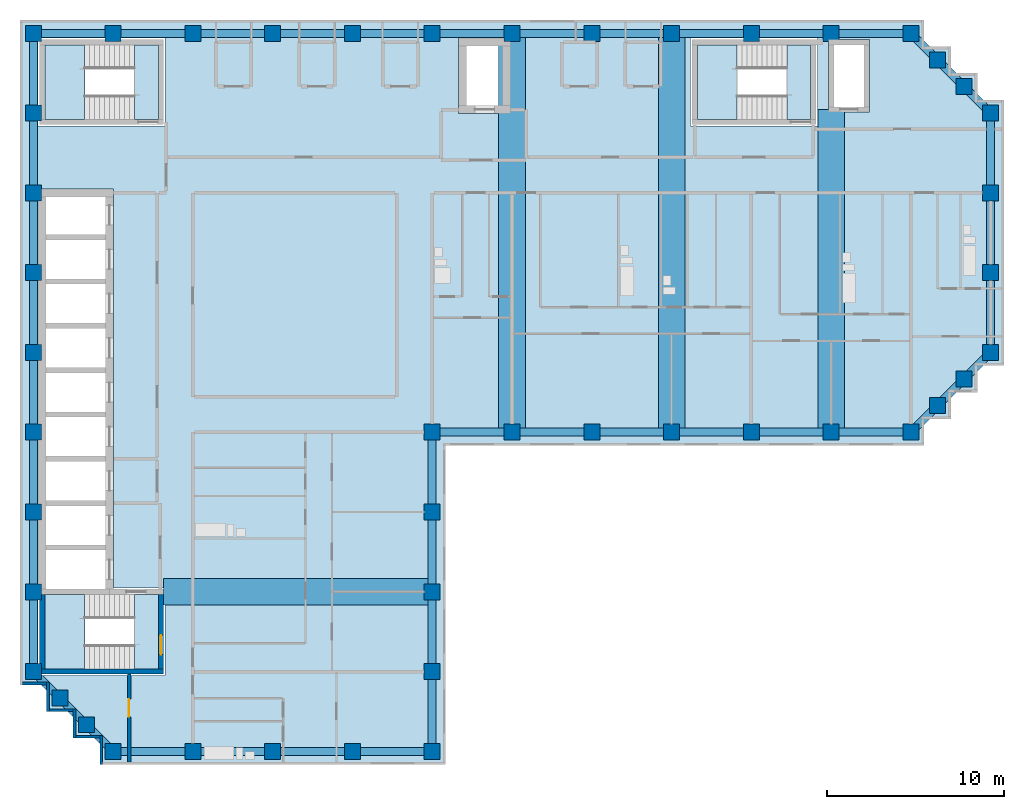
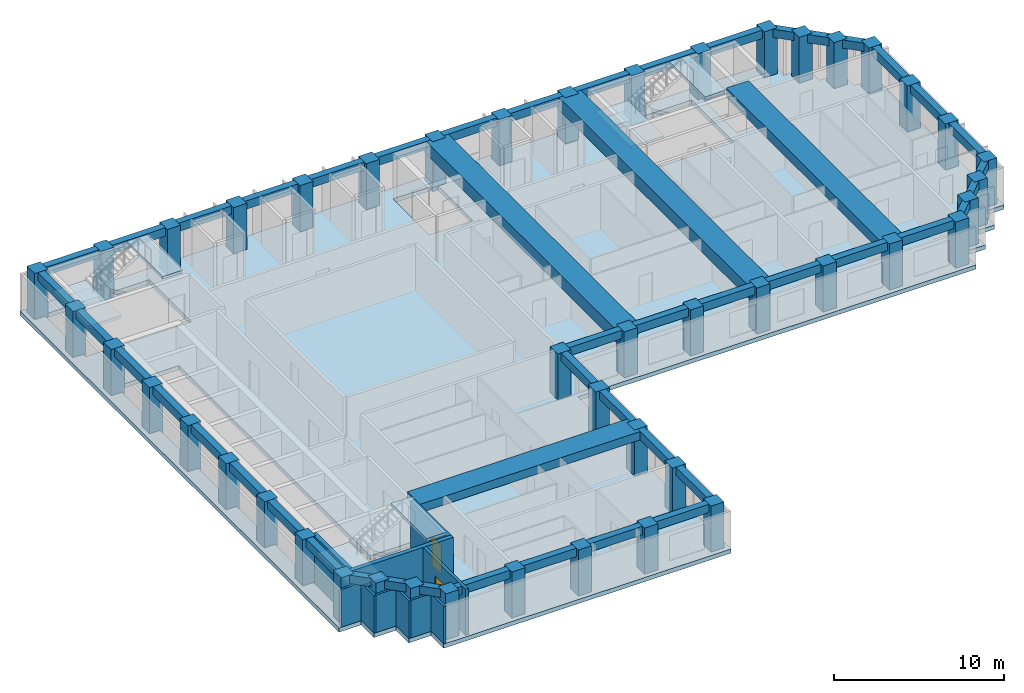
# One storey, part 1 of 9: 49 beams, 45 columns, 10 walls, 7 slabs, 2 doors, 2 openings, 3 elements without a shape of their own.
"""IFC4 building model written with IfcOpenShell, lengths in metres."""

from ifc_helpers import new_model, si_unit, direction, frame, frame_2d, origin, origin_2d, place, context, subcontext, project, spatial, polyline, rectangle, outline, extrude, material, layer, layer_set, material_profile, profile_set, type_object, element, fill, aggregate, save


model = new_model("IFC4")

# Units and contexts
model_context = context("Model", 3, precision=1e-05, world=origin(), true_north=direction((0.0, 1.0)))
body_context = subcontext(model_context, "Body", "Model", "MODEL_VIEW")
ifc_project = project(units=[si_unit("LENGTHUNIT", "METRE"), si_unit("AREAUNIT", "SQUARE_METRE"), si_unit("VOLUMEUNIT", "CUBIC_METRE"), si_unit("PLANEANGLEUNIT", "RADIAN"), si_unit("MASSUNIT", "GRAM", prefix="KILO")], contexts=[model_context])

# Site, building, storey
site_placement = place(None, origin())
site = spatial("IfcSite", under=ifc_project, at=site_placement, CompositionType="ELEMENT")
building_placement = place(site_placement, origin())
building = spatial("IfcBuilding", under=site, at=building_placement, Name="Firuza Court", CompositionType="ELEMENT")
storey_placement = place(building_placement, frame((0.0, 0.0, 215.0)))
storey = spatial("IfcBuildingStorey", under=building, at=storey_placement, Name="L55", CompositionType="ELEMENT", Elevation=215.0)

# Columns
ifc_material_1 = material(Name="Concrete C50/60", Category="concrete")
ifc_material_profile_1 = material_profile(ifc_material_1, rectangle(XDim=0.89990234375, YDim=0.89990234375, at=origin_2d()), Name="RC 900x900")
ifc_profile_set_1 = profile_set([ifc_material_profile_1], Name="Concrete C50/60")
column_type = type_object("IfcColumnType", Name="Tube column RC 900x900 C50/60", PredefinedType="COLUMN", material=ifc_profile_set_1)
for number, where, z_axis, x_axis, name in (
    (1, (4.5, 18.0, -0.300048828125), (0.0, 0.0, 1.0), (1.0, 0.0, 0.0), "Column C-2H L55"),
    (2, (9.0, 18.0, -0.300048828125), (0.0, 0.0, 1.0), (1.0, 0.0, 0.0), "Column C-3H L55"),
    (3, (13.5, 18.0, -0.300048828125), (0.0, 0.0, 1.0), (1.0, 0.0, 0.0), "Column C-4H L55"),
    (4, (18.0, 18.0, -0.300048828125), (0.0, 0.0, 1.0), (1.0, 0.0, 0.0), "Column C-5H L55"),
    (5, (22.5, 18.0, -0.300048828125), (0.0, 0.0, 1.0), (1.0, 0.0, 0.0), "Column C-6H L55"),
    (6, (3.0, 19.5, -0.300048828125), (0.0, 0.0, 1.0), (1.0, 0.0, 0.0), "Column C-SA1 L55"),
    (7, (1.5, 21.0, -0.300048828125), (0.0, 0.0, 1.0), (1.0, 0.0, 0.0), "Column C-SA2 L55"),
    (8, (0.0, 22.5, -0.300048828125), (0.0, 0.0, 1.0), (1.0, 0.0, 0.0), "Column C-1J L55"),
    (9, (22.5, 22.5, -0.300048828125), (0.0, 0.0, 1.0), (1.0, 0.0, 0.0), "Column C-6J L55"),
    (10, (0.0, 27.0, -0.300048828125), (0.0, 0.0, 1.0), (1.0, 0.0, 0.0), "Column C-1K L55"),
    (11, (22.5, 27.0, -0.300048828125), (0.0, 0.0, 1.0), (1.0, 0.0, 0.0), "Column C-6K L55"),
    (12, (0.0, 31.5, -0.300048828125), (0.0, 0.0, 1.0), (1.0, 0.0, 0.0), "Column C-1L L55"),
    (13, (22.5, 31.5, -0.300048828125), (0.0, 0.0, 1.0), (1.0, 0.0, 0.0), "Column C-6L L55"),
    (14, (0.0, 36.0, -0.300048828125), (0.0, 0.0, 1.0), (1.0, 0.0, 0.0), "Column C-1M L55"),
    (15, (22.5, 36.0, -0.300048828125), (0.0, 0.0, 1.0), (1.0, 0.0, 0.0), "Column C-6M L55"),
    (16, (27.0, 36.0, -0.300048828125), (0.0, 0.0, 1.0), (1.0, 0.0, 0.0), "Column C-7M L55"),
    (17, (31.5, 36.0, -0.300048828125), (0.0, 0.0, 1.0), (1.0, 0.0, 0.0), "Column C-8M L55"),
    (18, (36.0, 36.0, -0.300048828125), (0.0, 0.0, 1.0), (1.0, 0.0, 0.0), "Column C-9M L55"),
    (19, (40.5, 36.0, -0.300048828125), (0.0, 0.0, 1.0), (1.0, 0.0, 0.0), "Column C-10M L55"),
    (20, (45.0, 36.0, -0.300048828125), (0.0, 0.0, 1.0), (1.0, 0.0, 0.0), "Column C-11M L55"),
    (21, (49.5, 36.0, -0.300048828125), (0.0, 0.0, 1.0), (1.0, 0.0, 0.0), "Column C-12M L55"),
    (22, (51.0, 37.5, -0.300048828125), (0.0, 0.0, 1.0), (1.0, 0.0, 0.0), "Column C-SA3 L55"),
    (23, (52.5, 39.0, -0.300048828125), (0.0, 0.0, 1.0), (1.0, 0.0, 0.0), "Column C-SA4 L55"),
    (24, (0.0, 40.5, -0.300048828125), (0.0, 0.0, 1.0), (1.0, 0.0, 0.0), "Column C-1N L55"),
    (25, (54.0, 40.5, -0.300048828125), (0.0, 0.0, 1.0), (1.0, 0.0, 0.0), "Column C-13N L55"),
    (26, (0.0, 45.0, -0.300048828125), (0.0, 0.0, 1.0), (1.0, 0.0, 0.0), "Column C-1P L55"),
    (27, (54.0, 45.0, -0.300048828125), (0.0, 0.0, 1.0), (1.0, 0.0, 0.0), "Column C-13P L55"),
    (28, (0.0, 49.5, -0.300048828125), (0.0, 0.0, 1.0), (1.0, 0.0, 0.0), "Column C-1Q L55"),
    (29, (54.0, 49.5, -0.300048828125), (0.0, 0.0, 1.0), (1.0, 0.0, 0.0), "Column C-13Q L55"),
    (30, (0.0, 54.0, -0.300048828125), (0.0, 0.0, 1.0), (1.0, 0.0, 0.0), "Column C-1R L55"),
    (31, (54.0, 54.0, -0.300048828125), (0.0, 0.0, 1.0), (1.0, 0.0, 0.0), "Column C-13R L55"),
    (32, (52.5, 55.5, -0.300048828125), (0.0, 0.0, 1.0), (1.0, 0.0, 0.0), "Column C-SA5 L55"),
    (33, (51.0, 57.0, -0.300048828125), (0.0, 0.0, 1.0), (1.0, 0.0, 0.0), "Column C-SA6 L55"),
    (34, (0.0, 58.5, -0.300048828125), (0.0, 0.0, 1.0), (1.0, 0.0, 0.0), "Column C-1S L55"),
    (35, (4.5, 58.5, -0.300048828125), (0.0, 0.0, 1.0), (1.0, 0.0, 0.0), "Column C-2S L55"),
    (36, (9.0, 58.5, -0.300048828125), (0.0, 0.0, 1.0), (1.0, 0.0, 0.0), "Column C-3S L55"),
    (37, (13.5, 58.5, -0.300048828125), (0.0, 0.0, 1.0), (1.0, 0.0, 0.0), "Column C-4S L55"),
    (38, (18.0, 58.5, -0.300048828125), (0.0, 0.0, 1.0), (1.0, 0.0, 0.0), "Column C-5S L55"),
    (39, (22.5, 58.5, -0.300048828125), (0.0, 0.0, 1.0), (1.0, 0.0, 0.0), "Column C-6S L55"),
    (40, (27.0, 58.5, -0.300048828125), (0.0, 0.0, 1.0), (1.0, 0.0, 0.0), "Column C-7S L55"),
    (41, (31.5, 58.5, -0.300048828125), (0.0, 0.0, 1.0), (1.0, 0.0, 0.0), "Column C-8S L55"),
    (42, (36.0, 58.5, -0.300048828125), (0.0, 0.0, 1.0), (1.0, 0.0, 0.0), "Column C-9S L55"),
    (43, (40.5, 58.5, -0.300048828125), (0.0, 0.0, 1.0), (1.0, 0.0, 0.0), "Column C-10S L55"),
    (44, (45.0, 58.5, -0.300048828125), (0.0, 0.0, 1.0), (1.0, 0.0, 0.0), "Column C-11S L55"),
    (45, (49.5, 58.5, -0.300048828125), (0.0, 0.0, 1.0), (1.0, 0.0, 0.0), "Column C-12S L55"),
):
    element("IfcColumn", number, at=place(storey_placement, frame(where, z_axis=z_axis, x_axis=x_axis)), inside=storey, type_object=column_type, Name=name, PredefinedType="COLUMN", context=body_context, shape_type="SweptSolid", body=[
        extrude(rectangle(XDim=0.89990234375, YDim=0.89990234375, at=origin_2d()), origin(), (0.0, 0.0, 1.0), 3.60009765625),
    ])

# Beams
ifc_material_2 = material(Name="Concrete C40/50", Category="concrete")
ifc_material_profile_2 = material_profile(ifc_material_2, rectangle(XDim=1.5, YDim=0.60009765625, at=origin_2d()), Name="RC 1500x600")
ifc_profile_set_2 = profile_set([ifc_material_profile_2], Name="Concrete C40/50")
beam_type_1 = type_object("IfcBeamType", Name="Band beam RC 1500x600 C40/50", PredefinedType="BEAM", material=ifc_profile_set_2)
beam_1_placement = place(storey_placement, frame((22.5, 27.0, 3.0), z_axis=(-1.0, 0.0, 0.0), x_axis=(0.0, -1.0, 0.0)))
element("IfcBeam", 46, at=beam_1_placement, inside=storey, type_object=beam_type_1, Name="Band beam FB3 level L56", PredefinedType="BEAM", context=body_context, shape_type="SweptSolid", body=[
    extrude(rectangle(XDim=1.5, YDim=0.60009765625, at=origin_2d()), origin(), (0.0, 0.0, 1.0), 15.14990234375),
])
ifc_material_3 = material(Name="Concrete C40/50", Category="concrete")
ifc_material_profile_3 = material_profile(ifc_material_3, rectangle(XDim=1.5, YDim=0.699951171875, at=origin_2d()), Name="RC 1500x700")
ifc_profile_set_3 = profile_set([ifc_material_profile_3], Name="Concrete C40/50")
beam_type_2 = type_object("IfcBeamType", Name="Band beam RC 1500x700 C40/50", PredefinedType="BEAM", material=ifc_profile_set_3)
beam_2_placement = place(storey_placement, frame((45.0, 36.0, 2.949951171875), z_axis=(0.0, 1.0, 0.0), x_axis=(-1.0, 0.0, 0.0)))
element("IfcBeam", 47, at=beam_2_placement, inside=storey, type_object=beam_type_2, Name="Band beam FB1 level L56", PredefinedType="BEAM", context=body_context, shape_type="SweptSolid", body=[
    extrude(rectangle(XDim=1.5, YDim=0.699951171875, at=origin_2d()), origin(), (0.0, 0.0, 1.0), 18.199951171875),
])
ifc_material_4 = material(Name="Concrete C40/50", Category="concrete")
ifc_material_profile_4 = material_profile(ifc_material_4, rectangle(XDim=1.5, YDim=0.89990234375, at=origin_2d()), Name="RC 1500x900")
ifc_profile_set_4 = profile_set([ifc_material_profile_4], Name="Concrete C40/50")
beam_type_3 = type_object("IfcBeamType", Name="Band beam RC 1500x900 C40/50", PredefinedType="BEAM", material=ifc_profile_set_4)
for number, where, z_axis, x_axis, name in (
    (48, (27.0, 36.0, 2.85009765625), (0.0, 1.0, 0.0), (-1.0, 0.0, 0.0), "Band beam FB2 level L56"),
    (49, (36.0, 36.0, 2.85009765625), (0.0, 1.0, 0.0), (-1.0, 0.0, 0.0), "Band beam FB2 level L56"),
):
    element("IfcBeam", number, at=place(storey_placement, frame(where, z_axis=z_axis, x_axis=x_axis)), inside=storey, type_object=beam_type_3, Name=name, PredefinedType="BEAM", context=body_context, shape_type="SweptSolid", body=[
        extrude(rectangle(XDim=1.5, YDim=0.89990234375, at=origin_2d()), origin(), (0.0, 0.0, 1.0), 22.5),
    ])
ifc_material_5 = material(Name="Concrete C40/50", Category="concrete")
ifc_material_profile_5 = material_profile(ifc_material_5, rectangle(XDim=0.449951171875, YDim=0.60009765625, at=origin_2d()), Name="RC 450x600")
ifc_profile_set_5 = profile_set([ifc_material_profile_5], Name="Concrete C40/50")
beam_type_4 = type_object("IfcBeamType", Name="Spandrel beam RC 450x600 C40/50", PredefinedType="BEAM", material=ifc_profile_set_5)
beam_3_placement = place(storey_placement, frame((0.0, 22.5, 3.0), z_axis=(0.707106781187, -0.707106781187, 0.0), x_axis=(0.707106781187, 0.707106781187, 0.0)))
element("IfcBeam", 50, at=beam_3_placement, inside=storey, type_object=beam_type_4, Name="Spandrel beam SP15 level L56", PredefinedType="BEAM", context=body_context, shape_type="SweptSolid", body=[
    extrude(rectangle(XDim=0.449951171875, YDim=0.60009765625, at=origin_2d()), origin(), (0.0, 0.0, 1.0), 2.121337890625),
])
for number, where, z_axis, x_axis, name in (
    (51, (0.0, 27.0, 3.0), (0.0, -1.0, 0.0), (1.0, 0.0, 0.0), "Spandrel beam SP15 level L56"),
    (52, (0.0, 31.5, 3.0), (0.0, -1.0, 0.0), (1.0, 0.0, 0.0), "Spandrel beam SP15 level L56"),
    (53, (0.0, 36.0, 3.0), (0.0, -1.0, 0.0), (1.0, 0.0, 0.0), "Spandrel beam SP15 level L56"),
    (54, (0.0, 40.5, 3.0), (0.0, -1.0, 0.0), (1.0, 0.0, 0.0), "Spandrel beam SP15 level L56"),
    (55, (0.0, 45.0, 3.0), (0.0, -1.0, 0.0), (1.0, 0.0, 0.0), "Spandrel beam SP15 level L56"),
    (56, (0.0, 49.5, 3.0), (0.0, -1.0, 0.0), (1.0, 0.0, 0.0), "Spandrel beam SP15 level L56"),
    (57, (0.0, 54.0, 3.0), (0.0, -1.0, 0.0), (1.0, 0.0, 0.0), "Spandrel beam SP15 level L56"),
    (58, (0.0, 58.5, 3.0), (0.0, -1.0, 0.0), (1.0, 0.0, 0.0), "Spandrel beam SP15 level L56"),
):
    element("IfcBeam", number, at=place(storey_placement, frame(where, z_axis=z_axis, x_axis=x_axis)), inside=storey, type_object=beam_type_4, Name=name, PredefinedType="BEAM", context=body_context, shape_type="SweptSolid", body=[
        extrude(rectangle(XDim=0.449951171875, YDim=0.60009765625, at=origin_2d()), origin(), (0.0, 0.0, 1.0), 4.5),
    ])
for number, where, z_axis, x_axis, name in (
    (59, (1.5, 21.0, 3.0), (0.707106781187, -0.707106781187, 0.0), (0.707106781187, 0.707106781187, 0.0), "Spandrel beam SP15 level L56"),
    (60, (3.0, 19.5, 3.0), (0.707106781187, -0.707106781187, 0.0), (0.707106781187, 0.707106781187, 0.0), "Spandrel beam SP15 level L56"),
):
    element("IfcBeam", number, at=place(storey_placement, frame(where, z_axis=z_axis, x_axis=x_axis)), inside=storey, type_object=beam_type_4, Name=name, PredefinedType="BEAM", context=body_context, shape_type="SweptSolid", body=[
        extrude(rectangle(XDim=0.449951171875, YDim=0.60009765625, at=origin_2d()), origin(), (0.0, 0.0, 1.0), 2.121337890625),
    ])
for number, where, z_axis, x_axis, name in (
    (61, (4.5, 18.0, 3.0), (1.0, 0.0, 0.0), (0.0, 1.0, 0.0), "Spandrel beam SP15 level L56"),
    (62, (4.5, 58.5, 3.0), (-1.0, 0.0, 0.0), (0.0, -1.0, 0.0), "Spandrel beam SP15 level L56"),
    (63, (9.0, 18.0, 3.0), (1.0, 0.0, 0.0), (0.0, 1.0, 0.0), "Spandrel beam SP15 level L56"),
    (64, (9.0, 58.5, 3.0), (-1.0, 0.0, 0.0), (0.0, -1.0, 0.0), "Spandrel beam SP15 level L56"),
    (65, (13.5, 18.0, 3.0), (1.0, 0.0, 0.0), (0.0, 1.0, 0.0), "Spandrel beam SP15 level L56"),
    (66, (13.5, 58.5, 3.0), (-1.0, 0.0, 0.0), (0.0, -1.0, 0.0), "Spandrel beam SP15 level L56"),
    (67, (18.0, 18.0, 3.0), (1.0, 0.0, 0.0), (0.0, 1.0, 0.0), "Spandrel beam SP15 level L56"),
    (68, (18.0, 58.5, 3.0), (-1.0, 0.0, 0.0), (0.0, -1.0, 0.0), "Spandrel beam SP15 level L56"),
    (69, (22.5, 18.0, 3.0), (0.0, 1.0, 0.0), (-1.0, 0.0, 0.0), "Spandrel beam SP15 level L56"),
    (70, (22.5, 22.5, 3.0), (0.0, 1.0, 0.0), (-1.0, 0.0, 0.0), "Spandrel beam SP15 level L56"),
    (71, (22.5, 27.0, 3.0), (0.0, 1.0, 0.0), (-1.0, 0.0, 0.0), "Spandrel beam SP15 level L56"),
    (72, (22.5, 31.5, 3.0), (0.0, 1.0, 0.0), (-1.0, 0.0, 0.0), "Spandrel beam SP15 level L56"),
    (73, (22.5, 36.0, 3.0), (1.0, 0.0, 0.0), (0.0, 1.0, 0.0), "Spandrel beam SP15 level L56"),
    (74, (22.5, 58.5, 3.0), (-1.0, 0.0, 0.0), (0.0, -1.0, 0.0), "Spandrel beam SP15 level L56"),
    (75, (27.0, 36.0, 3.0), (1.0, 0.0, 0.0), (0.0, 1.0, 0.0), "Spandrel beam SP15 level L56"),
    (76, (27.0, 58.5, 3.0), (-1.0, 0.0, 0.0), (0.0, -1.0, 0.0), "Spandrel beam SP15 level L56"),
    (77, (31.5, 36.0, 3.0), (1.0, 0.0, 0.0), (0.0, 1.0, 0.0), "Spandrel beam SP15 level L56"),
    (78, (31.5, 58.5, 3.0), (-1.0, 0.0, 0.0), (0.0, -1.0, 0.0), "Spandrel beam SP15 level L56"),
    (79, (36.0, 36.0, 3.0), (1.0, 0.0, 0.0), (0.0, 1.0, 0.0), "Spandrel beam SP15 level L56"),
    (80, (36.0, 58.5, 3.0), (-1.0, 0.0, 0.0), (0.0, -1.0, 0.0), "Spandrel beam SP15 level L56"),
    (81, (40.5, 36.0, 3.0), (1.0, 0.0, 0.0), (0.0, 1.0, 0.0), "Spandrel beam SP15 level L56"),
    (82, (40.5, 58.5, 3.0), (-1.0, 0.0, 0.0), (0.0, -1.0, 0.0), "Spandrel beam SP15 level L56"),
    (83, (45.0, 36.0, 3.0), (1.0, 0.0, 0.0), (0.0, 1.0, 0.0), "Spandrel beam SP15 level L56"),
    (84, (45.0, 58.5, 3.0), (-1.0, 0.0, 0.0), (0.0, -1.0, 0.0), "Spandrel beam SP15 level L56"),
):
    element("IfcBeam", number, at=place(storey_placement, frame(where, z_axis=z_axis, x_axis=x_axis)), inside=storey, type_object=beam_type_4, Name=name, PredefinedType="BEAM", context=body_context, shape_type="SweptSolid", body=[
        extrude(rectangle(XDim=0.449951171875, YDim=0.60009765625, at=origin_2d()), origin(), (0.0, 0.0, 1.0), 4.5),
    ])
beam_4_placement = place(storey_placement, frame((49.5, 36.0, 3.0), z_axis=(0.707106781187, 0.707106781187, 0.0), x_axis=(-0.707106781187, 0.707106781187, 0.0)))
element("IfcBeam", 85, at=beam_4_placement, inside=storey, type_object=beam_type_4, Name="Spandrel beam SP15 level L56", PredefinedType="BEAM", context=body_context, shape_type="SweptSolid", body=[
    extrude(rectangle(XDim=0.449951171875, YDim=0.60009765625, at=origin_2d()), origin(), (0.0, 0.0, 1.0), 2.121337890625),
])
beam_5_placement = place(storey_placement, frame((49.5, 58.5, 3.0), z_axis=(-1.0, 0.0, 0.0), x_axis=(0.0, -1.0, 0.0)))
element("IfcBeam", 86, at=beam_5_placement, inside=storey, type_object=beam_type_4, Name="Spandrel beam SP15 level L56", PredefinedType="BEAM", context=body_context, shape_type="SweptSolid", body=[
    extrude(rectangle(XDim=0.449951171875, YDim=0.60009765625, at=origin_2d()), origin(), (0.0, 0.0, 1.0), 4.5),
])
for number, where, z_axis, x_axis, name in (
    (87, (51.0, 37.5, 3.0), (0.707106781187, 0.707106781187, 0.0), (-0.707106781187, 0.707106781187, 0.0), "Spandrel beam SP15 level L56"),
    (88, (51.0, 57.0, 3.0), (-0.707106781187, 0.707106781187, 0.0), (-0.707106781187, -0.707106781187, 0.0), "Spandrel beam SP15 level L56"),
    (89, (52.5, 39.0, 3.0), (0.707106781187, 0.707106781187, 0.0), (-0.707106781187, 0.707106781187, 0.0), "Spandrel beam SP15 level L56"),
    (90, (52.5, 55.5, 3.0), (-0.707106781187, 0.707106781187, 0.0), (-0.707106781187, -0.707106781187, 0.0), "Spandrel beam SP15 level L56"),
):
    element("IfcBeam", number, at=place(storey_placement, frame(where, z_axis=z_axis, x_axis=x_axis)), inside=storey, type_object=beam_type_4, Name=name, PredefinedType="BEAM", context=body_context, shape_type="SweptSolid", body=[
        extrude(rectangle(XDim=0.449951171875, YDim=0.60009765625, at=origin_2d()), origin(), (0.0, 0.0, 1.0), 2.121337890625),
    ])
for number, where, z_axis, x_axis, name in (
    (91, (54.0, 40.5, 3.0), (0.0, 1.0, 0.0), (-1.0, 0.0, 0.0), "Spandrel beam SP15 level L56"),
    (92, (54.0, 45.0, 3.0), (0.0, 1.0, 0.0), (-1.0, 0.0, 0.0), "Spandrel beam SP15 level L56"),
    (93, (54.0, 49.5, 3.0), (0.0, 1.0, 0.0), (-1.0, 0.0, 0.0), "Spandrel beam SP15 level L56"),
):
    element("IfcBeam", number, at=place(storey_placement, frame(where, z_axis=z_axis, x_axis=x_axis)), inside=storey, type_object=beam_type_4, Name=name, PredefinedType="BEAM", context=body_context, shape_type="SweptSolid", body=[
        extrude(rectangle(XDim=0.449951171875, YDim=0.60009765625, at=origin_2d()), origin(), (0.0, 0.0, 1.0), 4.5),
    ])
beam_6_placement = place(storey_placement, frame((54.0, 54.0, 3.0), z_axis=(-0.707106781187, 0.707106781187, 0.0), x_axis=(-0.707106781187, -0.707106781187, 0.0)))
element("IfcBeam", 94, at=beam_6_placement, inside=storey, type_object=beam_type_4, Name="Spandrel beam SP15 level L56", PredefinedType="BEAM", context=body_context, shape_type="SweptSolid", body=[
    extrude(rectangle(XDim=0.449951171875, YDim=0.60009765625, at=origin_2d()), origin(), (0.0, 0.0, 1.0), 2.121337890625),
])

# Slab
ifc_material_6 = material(Name="Concrete C40/50", Category="concrete")
ifc_layer_1 = layer(ifc_material_6, 0.300048828125)
ifc_layer_set_1 = layer_set([ifc_layer_1], Name="Concrete C40/50")
slab_type_1 = type_object("IfcSlabType", Name="Floor slab 300 C40/50", PredefinedType="FLOOR", material=ifc_layer_set_1)
slab_1_placement = place(storey_placement, frame((0.0, 0.0, -0.300048828125)))
element("IfcSlab", 95, at=slab_1_placement, inside=storey, type_object=slab_type_1, Name="Floor slab L55", PredefinedType="FLOOR", context=body_context, shape_type="SweptSolid", body=[
    extrude(outline(polyline([(-0.75, 59.25), (50.25, 59.25), (50.25, 57.75), (51.75, 57.75), (51.75, 56.25), (53.25, 56.25), (53.25, 54.75), (54.75, 54.75), (54.75, 39.75), (53.25, 39.75), (53.25, 38.25), (51.75, 38.25), (51.75, 36.75), (50.25, 36.75), (50.25, 35.25), (23.25, 35.25), (23.25, 17.25), (3.75, 17.25), (3.75, 18.75), (2.25, 18.75), (2.25, 20.25), (0.75, 20.25), (0.75, 21.75), (-0.75, 21.75), (-0.75, 59.25)]), holes=[polyline([(0.27490234375, 34.27490234375), (0.27490234375, 32.22509765625), (0.27490234375, 31.77490234375), (0.27490234375, 29.72509765625), (0.27490234375, 29.27490234375), (0.27490234375, 27.22509765625), (0.27490234375, 26.77490234375), (0.27490234375, 22.27490234375), (7.425048828125, 22.27490234375), (7.425048828125, 27.22509765625), (4.52490234375, 27.22509765625), (4.52490234375, 29.27490234375), (4.52490234375, 29.72509765625), (4.52490234375, 31.77490234375), (4.52490234375, 32.22509765625), (4.52490234375, 34.27490234375), (4.52490234375, 34.72509765625), (4.52490234375, 36.77490234375), (4.52490234375, 37.22509765625), (4.52490234375, 39.27490234375), (4.52490234375, 39.72509765625), (4.52490234375, 41.77490234375), (4.52490234375, 42.22509765625), (4.52490234375, 44.27490234375), (4.52490234375, 44.72509765625), (4.52490234375, 46.77490234375), (4.52490234375, 47.22509765625), (4.52490234375, 49.72509765625), (0.27490234375, 49.72509765625), (0.27490234375, 47.22509765625), (0.27490234375, 46.77490234375), (0.27490234375, 44.72509765625), (0.27490234375, 44.27490234375), (0.27490234375, 42.22509765625), (0.27490234375, 41.77490234375), (0.27490234375, 39.72509765625), (0.27490234375, 39.27490234375), (0.27490234375, 37.22509765625), (0.27490234375, 36.77490234375), (0.27490234375, 34.72509765625), (0.27490234375, 34.27490234375)]), polyline([(7.425048828125, 58.22509765625), (0.27490234375, 58.22509765625), (0.27490234375, 53.27490234375), (7.425048828125, 53.27490234375), (7.425048828125, 58.22509765625)]), polyline([(44.22509765625, 58.22509765625), (37.074951171875, 58.22509765625), (37.074951171875, 53.27490234375), (44.22509765625, 53.27490234375), (44.22509765625, 58.22509765625)]), polyline([(26.925048828125, 58.22509765625), (23.97509765625, 58.22509765625), (23.97509765625, 53.97509765625), (26.925048828125, 53.97509765625), (26.925048828125, 58.22509765625)]), polyline([(47.14990234375, 58.14990234375), (44.85009765625, 58.14990234375), (44.85009765625, 54.050048828125), (47.14990234375, 54.050048828125), (47.14990234375, 58.14990234375)])]), origin(), (0.0, 0.0, 1.0), 0.300048828125),
])

# Stair, slabs
ifc_material_7 = material(Name="Concrete C40/50 precast", Category="concrete")
stair_type = type_object("IfcStairType", Name="Stair 1350 x 3600 2 flights", PredefinedType="HALF_TURN_STAIR", material=ifc_material_7)
stair_1_placement = place(storey_placement, origin())
stair_1 = element("IfcStair", 96, at=stair_1_placement, inside=storey, type_object=stair_type, Name="Stair 1 L55", PredefinedType="HALF_TURN_STAIR")
ifc_material_8 = material(Name="Concrete C40/50 precast", Category="concrete")
ifc_layer_2 = layer(ifc_material_8, 0.199951171875)
ifc_layer_set_2 = layer_set([ifc_layer_2], Name="Concrete C40/50 precast")
slab_type_2 = type_object("IfcSlabType", Name="Stair landing 200", PredefinedType="LANDING", material=ifc_layer_set_2)
slab_2_placement = place(storey_placement, frame((0.0, 0.0, 1.60009765625)))
slab_2 = element("IfcSlab", 97, at=slab_2_placement, type_object=slab_type_2, Name="S1 landing 1", PredefinedType="LANDING", context=body_context, shape_type="SweptSolid", body=[
    extrude(outline(polyline([(39.699951171875, 53.64990234375), (39.699951171875, 57.85009765625), (37.449951171875, 57.85009765625), (37.449951171875, 53.64990234375), (39.699951171875, 53.64990234375)])), origin(), (0.0, 0.0, 1.0), 0.199951171875),
])
slab_3_placement = place(storey_placement, frame((0.0, 0.0, 3.39990234375)))
slab_3 = element("IfcSlab", 98, at=slab_3_placement, type_object=slab_type_2, Name="S1 landing 2", PredefinedType="LANDING", context=body_context, shape_type="SweptSolid", body=[
    extrude(outline(polyline([(43.85009765625, 53.64990234375), (43.85009765625, 57.85009765625), (42.5, 57.85009765625), (42.5, 53.64990234375), (43.85009765625, 53.64990234375)])), origin(), (0.0, 0.0, 1.0), 0.2001953125),
])
aggregate(stair_1, [slab_2, slab_3])

stair_2_placement = place(storey_placement, origin())
stair_2 = element("IfcStair", 99, at=stair_2_placement, inside=storey, type_object=stair_type, Name="Stair 2 L55", PredefinedType="HALF_TURN_STAIR")
slab_4_placement = place(storey_placement, frame((0.0, 0.0, 1.60009765625)))
slab_4 = element("IfcSlab", 100, at=slab_4_placement, type_object=slab_type_2, Name="S2 landing 1", PredefinedType="LANDING", context=body_context, shape_type="SweptSolid", body=[
    extrude(outline(polyline([(2.89990234375, 22.64990234375), (2.89990234375, 26.85009765625), (0.64990234375, 26.85009765625), (0.64990234375, 22.64990234375), (2.89990234375, 22.64990234375)])), origin(), (0.0, 0.0, 1.0), 0.199951171875),
])
slab_5_placement = place(storey_placement, frame((0.0, 0.0, 3.39990234375)))
slab_5 = element("IfcSlab", 101, at=slab_5_placement, type_object=slab_type_2, Name="S2 landing 2", PredefinedType="LANDING", context=body_context, shape_type="SweptSolid", body=[
    extrude(outline(polyline([(7.050048828125, 22.64990234375), (7.050048828125, 26.85009765625), (5.699951171875, 26.85009765625), (5.699951171875, 22.64990234375), (7.050048828125, 22.64990234375)])), origin(), (0.0, 0.0, 1.0), 0.2001953125),
])
aggregate(stair_2, [slab_4, slab_5])

stair_3_placement = place(storey_placement, origin())
stair_3 = element("IfcStair", 102, at=stair_3_placement, inside=storey, type_object=stair_type, Name="Stair 3 L55", PredefinedType="HALF_TURN_STAIR")
slab_6_placement = place(storey_placement, frame((0.0, 0.0, 1.60009765625)))
slab_6 = element("IfcSlab", 103, at=slab_6_placement, type_object=slab_type_2, Name="S3 landing 1", PredefinedType="LANDING", context=body_context, shape_type="SweptSolid", body=[
    extrude(outline(polyline([(2.89990234375, 53.64990234375), (2.89990234375, 57.85009765625), (0.64990234375, 57.85009765625), (0.64990234375, 53.64990234375), (2.89990234375, 53.64990234375)])), origin(), (0.0, 0.0, 1.0), 0.199951171875),
])
slab_7_placement = place(storey_placement, frame((0.0, 0.0, 3.39990234375)))
slab_7 = element("IfcSlab", 104, at=slab_7_placement, type_object=slab_type_2, Name="S3 landing 2", PredefinedType="LANDING", context=body_context, shape_type="SweptSolid", body=[
    extrude(outline(polyline([(7.050048828125, 53.64990234375), (7.050048828125, 57.85009765625), (5.699951171875, 57.85009765625), (5.699951171875, 53.64990234375), (7.050048828125, 53.64990234375)])), origin(), (0.0, 0.0, 1.0), 0.2001953125),
])
aggregate(stair_3, [slab_6, slab_7])

# Walls
ifc_material_9 = material(Name="Concrete C50/60", Category="concrete")
ifc_layer_3 = layer(ifc_material_9, 0.300048828125)
ifc_layer_set_3 = layer_set([ifc_layer_3], Name="Concrete C50/60")
wall_type_1 = type_object("IfcWallType", Name="Core wall 300 C50/60", PredefinedType="SHEAR", material=ifc_layer_set_3)
wall_1_placement = place(storey_placement, frame((0.35009765625, 22.5, -0.300048828125), z_axis=(0.0, 0.0, 1.0), x_axis=(1.0, 0.0, 0.0)))
element("IfcWall", 105, at=wall_1_placement, inside=storey, type_object=wall_type_1, Name="Core wall stair L55", PredefinedType="SHEAR", context=body_context, shape_type="SweptSolid", body=[
    extrude(rectangle(XDim=7.0, YDim=0.300048828125, at=frame_2d((3.5, 0.0))), origin(), (0.0, 0.0, 1.0), 3.60009765625),
])
wall_2_placement = place(storey_placement, frame((0.5, 22.64990234375, -0.300048828125), z_axis=(0.0, 0.0, 1.0), x_axis=(0.0, 1.0, 0.0)))
element("IfcWall", 106, at=wall_2_placement, inside=storey, type_object=wall_type_1, Name="Core wall stair L55", PredefinedType="SHEAR", context=body_context, shape_type="SweptSolid", body=[
    extrude(rectangle(XDim=4.2001953125, YDim=0.300048828125, at=frame_2d((2.10009765625, 0.0))), origin(), (0.0, 0.0, 1.0), 3.60009765625),
])

# Wall, opening, door
wall_3_placement = place(storey_placement, frame((7.199951171875, 22.64990234375, -0.300048828125), z_axis=(0.0, 0.0, 1.0), x_axis=(0.0, 1.0, 0.0)))
wall_3 = element("IfcWall", 107, at=wall_3_placement, inside=storey, type_object=wall_type_1, Name="Core wall stair L55", PredefinedType="SHEAR", context=body_context, shape_type="SweptSolid", body=[
    extrude(rectangle(XDim=4.2001953125, YDim=0.300048828125, at=frame_2d((2.10009765625, 0.0))), origin(), (0.0, 0.0, 1.0), 3.60009765625),
])
opening_1_placement = place(wall_3_placement, frame((0.800048828125, 0.0, 0.300048828125)))
opening_1 = element("IfcOpeningElement", 108, at=opening_1_placement, cuts=wall_3, Name="Opening D55011", PredefinedType="OPENING", context=body_context, shape_type="SweptSolid", body=[
    extrude(rectangle(XDim=1.10009765625, YDim=2.10009765625, at=frame_2d((0.550048828125, 1.050048828125))), frame((0.0, 0.162109375, 0.0), z_axis=(0.0, -1.0, 0.0), x_axis=(1.0, 0.0, 0.0)), (0.0, 0.0, 1.0), 0.323974609375),
])
ifc_material_10 = material(Name="Timber door leaf in hardwood frame", Category="wood")
door_type_1 = type_object("IfcDoorType", Name="Stair door 1100", OperationType="SINGLE_SWING_LEFT", PredefinedType="DOOR", material=ifc_material_10)
door_1_placement = place(opening_1_placement, origin())
door_1 = element("IfcDoor", 109, at=door_1_placement, inside=storey, type_object=door_type_1, Name="Stair door S2", OperationType="SINGLE_SWING_LEFT", OverallHeight=2.10009765625, OverallWidth=1.10009765625, PredefinedType="DOOR", context=body_context, shape_type="SweptSolid", body=[
    extrude(rectangle(XDim=1.10009765625, YDim=2.10009765625, at=frame_2d((0.550048828125, 1.050048828125))), frame((0.0, 0.02490234375, 0.0), z_axis=(0.0, -1.0, 0.0), x_axis=(1.0, 0.0, 0.0)), (0.0, 0.0, 1.0), 0.050048828125),
])
fill(opening_1, door_1)

ifc_material_11 = material(Name="Blockwork, plastered both sides", Category="masonry")
ifc_layer_4 = layer(ifc_material_11, 0.199951171875)
ifc_layer_set_4 = layer_set([ifc_layer_4], Name="Blockwork, plastered both sides")
wall_type_2 = type_object("IfcWallType", Name="Corridor wall 200", PredefinedType="PARTITIONING", material=ifc_layer_set_4)
wall_4_placement = place(storey_placement, frame((5.39990234375, 17.39990234375, 0.0), z_axis=(0.0, 0.0, 1.0), x_axis=(0.0, 1.0, 0.0)))
wall_4 = element("IfcWall", 110, at=wall_4_placement, inside=storey, type_object=wall_type_2, Name="Corridor wall 200 L55", PredefinedType="PARTITIONING", context=body_context, shape_type="SweptSolid", body=[
    extrude(rectangle(XDim=4.9501953125, YDim=0.199951171875, at=frame_2d((2.47509765625, 0.0))), origin(), (0.0, 0.0, 1.0), 3.300048828125),
])
opening_2_placement = place(wall_4_placement, frame((2.550048828125, 0.0, 0.0)))
opening_2 = element("IfcOpeningElement", 111, at=opening_2_placement, cuts=wall_4, Name="Opening D55013", PredefinedType="OPENING", context=body_context, shape_type="SweptSolid", body=[
    extrude(rectangle(XDim=1.0, YDim=2.10009765625, at=frame_2d((0.5, 1.050048828125))), frame((0.0, 0.11181640625, 0.0), z_axis=(0.0, -1.0, 0.0), x_axis=(1.0, 0.0, 0.0)), (0.0, 0.0, 1.0), 0.223876953125),
])
ifc_material_12 = material(Name="Timber door leaf in hardwood frame", Category="wood")
door_type_2 = type_object("IfcDoorType", Name="Store door 1000", OperationType="SINGLE_SWING_LEFT", PredefinedType="DOOR", material=ifc_material_12)
door_2_placement = place(opening_2_placement, origin())
door_2 = element("IfcDoor", 112, at=door_2_placement, inside=storey, type_object=door_type_2, Name="Cleaner's store door", OperationType="SINGLE_SWING_RIGHT", OverallHeight=2.10009765625, OverallWidth=1.0, PredefinedType="DOOR", context=body_context, shape_type="SweptSolid", body=[
    extrude(rectangle(XDim=1.0, YDim=2.10009765625, at=frame_2d((0.5, 1.050048828125))), frame((0.0, 0.02490234375, 0.0), z_axis=(0.0, -1.0, 0.0), x_axis=(1.0, 0.0, 0.0)), (0.0, 0.0, 1.0), 0.050048828125),
])
fill(opening_2, door_2)

# Walls
ifc_material_13 = material(Name="Ceramic tile", Category="ceramic")
ifc_layer_5 = layer(ifc_material_13, 0.02001953125)
ifc_material_14 = material(Name="Mineral wool insulation", Category="insulation")
ifc_layer_6 = layer(ifc_material_14, 0.050048828125)
ifc_layer_7 = layer(ifc_material_8, 0.080078125)
ifc_layer_set_5 = layer_set([ifc_layer_5, ifc_layer_6, ifc_layer_7], Name="Concrete C40/50 precast")
wall_type_3 = type_object("IfcWallType", Name="Precast cladding wall with turquoise TILE PANEL face 150", PredefinedType="STANDARD", material=ifc_layer_set_5)
wall_5_placement = place(storey_placement, frame((-0.60009765625, 21.824951171875, 0.0), z_axis=(0.0, 0.0, 1.0), x_axis=(1.0, 0.0, 0.0)))
element("IfcWall", 113, at=wall_5_placement, inside=storey, type_object=wall_type_3, Name="Facade wall L55 S", PredefinedType="STANDARD", context=body_context, shape_type="SweptSolid", body=[
    extrude(rectangle(XDim=1.35009765625, YDim=0.14990234375, at=frame_2d((0.675048828125, 0.0))), origin(), (0.0, 0.0, 1.0), 2.699951171875),
])
wall_6_placement = place(storey_placement, frame((0.824951171875, 21.89990234375, 0.0), z_axis=(0.0, 0.0, 1.0), x_axis=(0.0, -1.0, 0.0)))
element("IfcWall", 114, at=wall_6_placement, inside=storey, type_object=wall_type_3, Name="Facade wall L55 W", PredefinedType="STANDARD", context=body_context, shape_type="SweptSolid", body=[
    extrude(rectangle(XDim=1.64990234375, YDim=0.14990234375, at=frame_2d((0.824951171875, 0.0))), origin(), (0.0, 0.0, 1.0), 2.699951171875),
])
wall_7_placement = place(storey_placement, frame((0.89990234375, 20.324951171875, 0.0), z_axis=(0.0, 0.0, 1.0), x_axis=(1.0, 0.0, 0.0)))
element("IfcWall", 115, at=wall_7_placement, inside=storey, type_object=wall_type_3, Name="Facade wall L55 S", PredefinedType="STANDARD", context=body_context, shape_type="SweptSolid", body=[
    extrude(rectangle(XDim=1.35009765625, YDim=0.14990234375, at=frame_2d((0.675048828125, 0.0))), origin(), (0.0, 0.0, 1.0), 2.699951171875),
])
wall_8_placement = place(storey_placement, frame((2.324951171875, 20.39990234375, 0.0), z_axis=(0.0, 0.0, 1.0), x_axis=(0.0, -1.0, 0.0)))
element("IfcWall", 116, at=wall_8_placement, inside=storey, type_object=wall_type_3, Name="Facade wall L55 W", PredefinedType="STANDARD", context=body_context, shape_type="SweptSolid", body=[
    extrude(rectangle(XDim=1.64990234375, YDim=0.14990234375, at=frame_2d((0.824951171875, 0.0))), origin(), (0.0, 0.0, 1.0), 2.699951171875),
])
wall_9_placement = place(storey_placement, frame((2.39990234375, 18.824951171875, 0.0), z_axis=(0.0, 0.0, 1.0), x_axis=(1.0, 0.0, 0.0)))
element("IfcWall", 117, at=wall_9_placement, inside=storey, type_object=wall_type_3, Name="Facade wall L55 S", PredefinedType="STANDARD", context=body_context, shape_type="SweptSolid", body=[
    extrude(rectangle(XDim=1.35009765625, YDim=0.14990234375, at=frame_2d((0.675048828125, 0.0))), origin(), (0.0, 0.0, 1.0), 2.699951171875),
])
wall_10_placement = place(storey_placement, frame((3.824951171875, 18.89990234375, 0.0), z_axis=(0.0, 0.0, 1.0), x_axis=(0.0, -1.0, 0.0)))
element("IfcWall", 118, at=wall_10_placement, inside=storey, type_object=wall_type_3, Name="Facade wall L55 W", PredefinedType="STANDARD", context=body_context, shape_type="SweptSolid", body=[
    extrude(rectangle(XDim=1.64990234375, YDim=0.14990234375, at=frame_2d((0.824951171875, 0.0))), origin(), (0.0, 0.0, 1.0), 2.699951171875),
])

save(model, "model.ifc")
